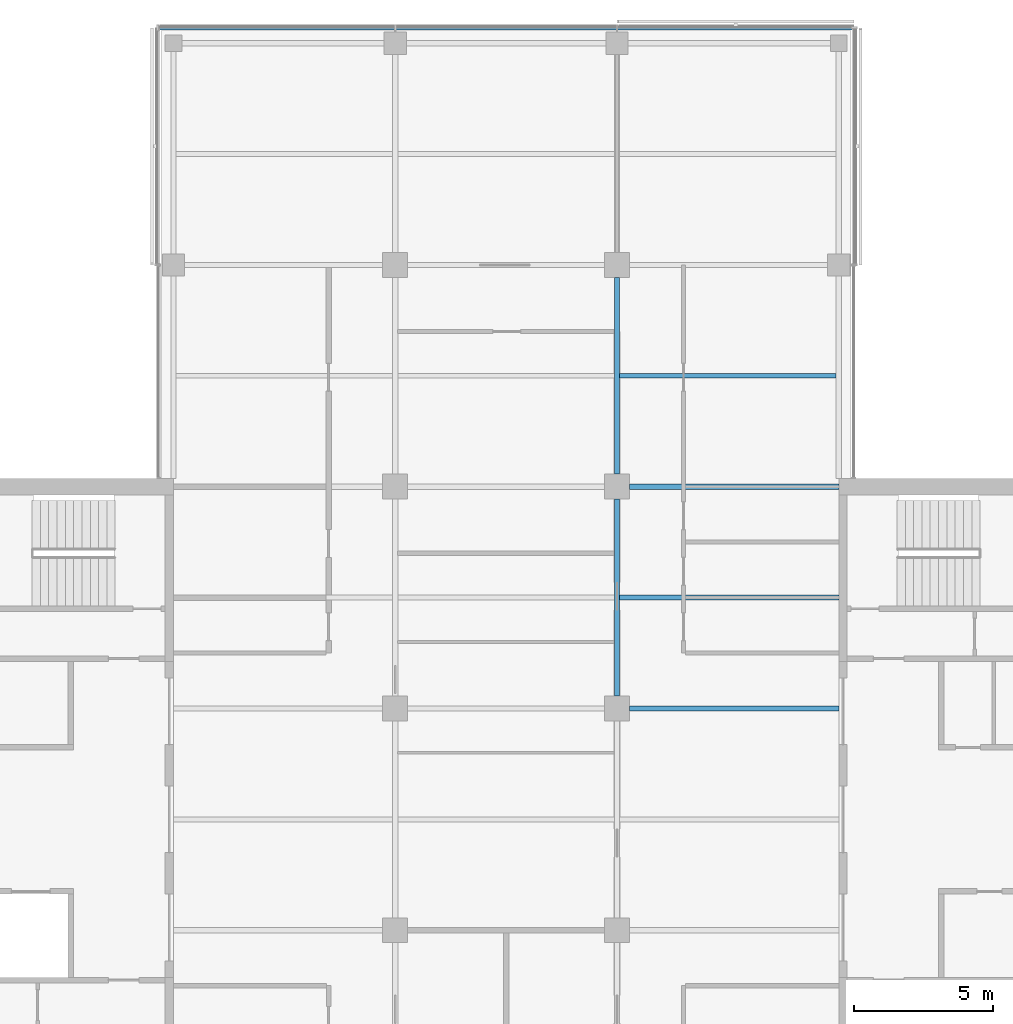
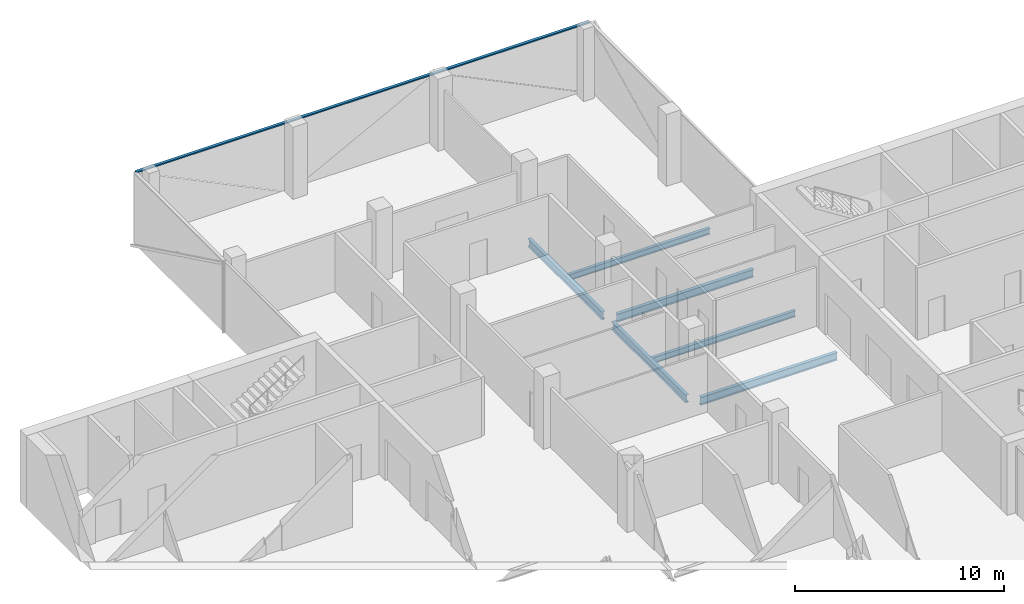
# One storey, part 6 of 15: 6 beams, 1 member, 1 element without a shape of its own.
"""IFC4 building model written with IfcOpenShell, lengths in metres."""

from ifc_helpers import new_model, si_unit, direction, frame, origin, origin_2d, place, context, subcontext, project, spatial, rectangle, i_section, extrude, material, material_profile, profile_set, type_object, element, aggregate, save


model = new_model("IFC4")

# Units and contexts
model_context = context("Model", 3, precision=1e-05, world=origin(), true_north=direction((0.0, 1.0)))
body_context = subcontext(model_context, "Body", "Model", "MODEL_VIEW")
ifc_project = project(units=[si_unit("LENGTHUNIT", "METRE"), si_unit("AREAUNIT", "SQUARE_METRE"), si_unit("VOLUMEUNIT", "CUBIC_METRE"), si_unit("PLANEANGLEUNIT", "RADIAN"), si_unit("MASSUNIT", "GRAM", prefix="KILO")], contexts=[model_context])

# Site, building, storey
site_placement = place(None, origin())
site = spatial("IfcSite", under=ifc_project, at=site_placement, CompositionType="ELEMENT")
building_placement = place(site_placement, origin())
building = spatial("IfcBuilding", under=site, at=building_placement, Name="Crosswind Convention Tower", CompositionType="ELEMENT")
storey_placement = place(building_placement, frame((0.0, 0.0, 225.10009765625)))
storey = spatial("IfcBuildingStorey", under=building, at=storey_placement, Name="L48", CompositionType="ELEMENT", Elevation=225.10009765625)

# Beams
ifc_material_1 = material(Name="Steel S355", Category="steel")
ifc_material_profile_1 = material_profile(ifc_material_1, i_section(OverallWidth=0.1904296875, OverallDepth=0.457275390625, WebThickness=0.009033203125, FlangeThickness=0.014404296875, FilletRadius=0.01025390625, at=origin_2d()), Name="UB 457x191x75")
ifc_profile_set_1 = profile_set([ifc_material_profile_1], Name="Steel S355")
beam_type_1 = type_object("IfcBeamType", Name="Girder UB 457x191x75", PredefinedType="BEAM", material=ifc_profile_set_1)
for number, where, z_axis, x_axis, name in (
    (1, (129.0, 104.449951171875, -0.52880859375), (0.0, 1.0, 0.0), (-1.0, 0.0, 0.0), "B2 L48 girder 20"),
    (2, (129.0, 112.449951171875, -0.52880859375), (0.0, 1.0, 0.0), (-1.0, 0.0, 0.0), "B2 L48 girder 21"),
):
    element("IfcBeam", number, at=place(storey_placement, frame(where, z_axis=z_axis, x_axis=x_axis)), inside=storey, type_object=beam_type_1, Name=name, PredefinedType="BEAM", context=body_context, shape_type="SweptSolid", body=[
        extrude(i_section(OverallWidth=0.1904296875, OverallDepth=0.457275390625, WebThickness=0.009033203125, FlangeThickness=0.014404296875, FilletRadius=0.01025390625, at=origin_2d()), origin(), (0.0, 0.0, 1.0), 7.10009765625),
    ])
ifc_material_profile_2 = material_profile(ifc_material_1, i_section(OverallWidth=0.19140625, OverallDepth=0.460205078125, WebThickness=0.010009765625, FlangeThickness=0.01611328125, FilletRadius=0.01025390625, at=origin_2d()), Name="UB 457x191x82")
ifc_profile_set_2 = profile_set([ifc_material_profile_2], Name="Steel S355")
beam_type_2 = type_object("IfcBeamType", Name="Girder at core wall UB 457x191x82", PredefinedType="BEAM", material=ifc_profile_set_2)
for number, where, z_axis, x_axis, name in (
    (3, (129.449951171875, 104.0, -0.5302734375), (1.0, 0.0, 0.0), (0.0, 1.0, 0.0), "B23 L48 girder at core wall 7"),
    (4, (129.449951171875, 112.0, -0.5302734375), (1.0, 0.0, 0.0), (0.0, 1.0, 0.0), "B23 L48 girder at core wall 8"),
):
    element("IfcBeam", number, at=place(storey_placement, frame(where, z_axis=z_axis, x_axis=x_axis)), inside=storey, type_object=beam_type_2, Name=name, PredefinedType="BEAM", context=body_context, shape_type="SweptSolid", body=[
        extrude(i_section(OverallWidth=0.19140625, OverallDepth=0.460205078125, WebThickness=0.010009765625, FlangeThickness=0.01611328125, FilletRadius=0.01025390625, at=origin_2d()), origin(), (0.0, 0.0, 1.0), 7.550048828125),
    ])
ifc_material_profile_3 = material_profile(ifc_material_1, i_section(OverallWidth=0.172119140625, OverallDepth=0.358642578125, WebThickness=0.008056640625, FlangeThickness=0.012939453125, FilletRadius=0.01025390625, at=origin_2d()), Name="UB 356x171x57")
ifc_profile_set_3 = profile_set([ifc_material_profile_3], Name="Steel S355")
beam_type_3 = type_object("IfcBeamType", Name="Secondary beam UB 356x171x57", PredefinedType="JOIST", material=ifc_profile_set_3)
beam_1_placement = place(storey_placement, frame((129.09521484375, 108.0, -0.4794921875), z_axis=(1.0, 0.0, 0.0), x_axis=(0.0, 1.0, 0.0)))
element("IfcBeam", 5, at=beam_1_placement, inside=storey, type_object=beam_type_3, Name="B9 L48 secondary beam 19", PredefinedType="JOIST", context=body_context, shape_type="SweptSolid", body=[
    extrude(i_section(OverallWidth=0.172119140625, OverallDepth=0.358642578125, WebThickness=0.008056640625, FlangeThickness=0.012939453125, FilletRadius=0.01025390625, at=origin_2d()), origin(), (0.0, 0.0, 1.0), 7.90478515625),
])
beam_2_placement = place(storey_placement, frame((129.09521484375, 116.0, -0.4794921875), z_axis=(1.0, 0.0, 0.0), x_axis=(0.0, 1.0, 0.0)))
element("IfcBeam", 6, at=beam_2_placement, inside=storey, type_object=beam_type_3, Name="B9 L48 secondary beam 20", PredefinedType="JOIST", context=body_context, shape_type="SweptSolid", body=[
    extrude(i_section(OverallWidth=0.172119140625, OverallDepth=0.358642578125, WebThickness=0.008056640625, FlangeThickness=0.012939453125, FilletRadius=0.01025390625, at=origin_2d()), origin(), (0.0, 0.0, 1.0), 7.809814453125),
])

# Curtain wall, member
ifc_material_2 = material(Name="Aluminium unitised curtain wall", Category="aluminium")
curtain_wall_type = type_object("IfcCurtainWallType", Name="OFFICE UNITISED WALL 220", PredefinedType="USERDEFINED", material=ifc_material_2)
curtain_wall_placement = place(storey_placement, origin())
curtain_wall = element("IfcCurtainWall", 7, at=curtain_wall_placement, inside=storey, type_object=curtain_wall_type, Name="CW3 L48 N-TIP 1", ObjectType="UNITISED", PredefinedType="USERDEFINED")
ifc_material_3 = material(Name="Aluminium transom", Category="aluminium")
ifc_material_profile_4 = material_profile(ifc_material_3, rectangle(XDim=0.159912109375, YDim=0.070068359375, at=origin_2d()), Name="AL 160X70")
ifc_profile_set_4 = profile_set([ifc_material_profile_4], Name="Aluminium transom")
member_type = type_object("IfcMemberType", Name="TRANSOM 70X160", PredefinedType="USERDEFINED", material=ifc_profile_set_4)
member_placement = place(storey_placement, frame((137.52490234375, 128.56005859375, 3.864990234375), z_axis=(-1.0, 0.0, 0.0), x_axis=(0.0, -1.0, 0.0)))
member = element("IfcMember", 8, at=member_placement, type_object=member_type, Name="CW3 transom", ObjectType="TRANSOM", PredefinedType="USERDEFINED", context=body_context, shape_type="SweptSolid", body=[
    extrude(rectangle(XDim=0.159912109375, YDim=0.070068359375, at=origin_2d()), origin(), (0.0, 0.0, 1.0), 25.0498046875),
])
aggregate(curtain_wall, [member])

save(model, "model.ifc")
